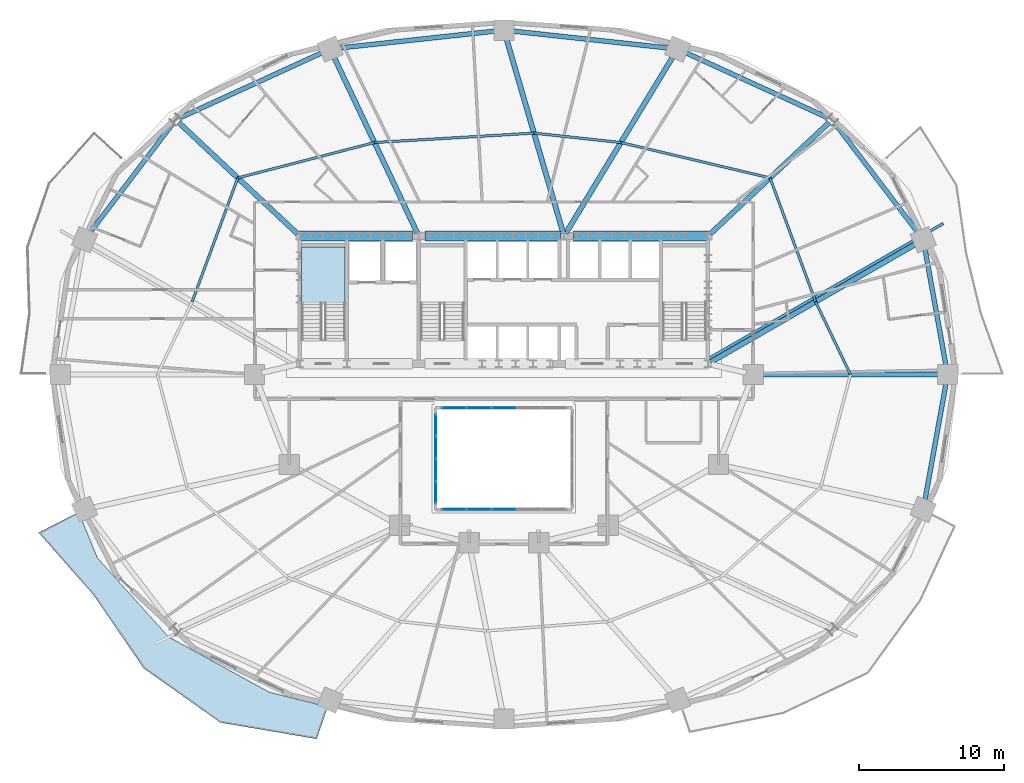
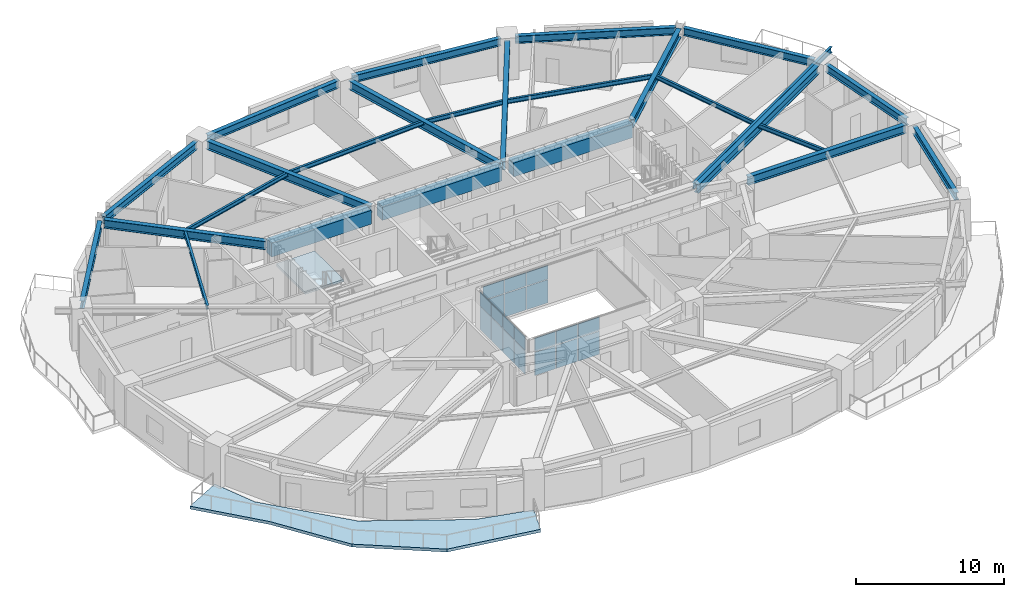
# One storey, part 7 of 17: 26 beams, 20 plates, 2 slabs, 4 elements without a shape of their own.
"""IFC4 building model written with IfcOpenShell, lengths in metres."""

from ifc_helpers import new_model, si_unit, direction, frame, origin, origin_2d, place, context, subcontext, project, spatial, polyline, rectangle, i_section, outline, extrude, material, layer, layer_set, material_profile, profile_set, type_object, element, aggregate, save


model = new_model("IFC4")

# Units and contexts
model_context = context("Model", 3, precision=1e-05, world=origin(), true_north=direction((0.0, 1.0)))
body_context = subcontext(model_context, "Body", "Model", "MODEL_VIEW")
ifc_project = project(units=[si_unit("LENGTHUNIT", "METRE"), si_unit("AREAUNIT", "SQUARE_METRE"), si_unit("VOLUMEUNIT", "CUBIC_METRE"), si_unit("PLANEANGLEUNIT", "RADIAN"), si_unit("MASSUNIT", "GRAM", prefix="KILO")], contexts=[model_context])

# Site, building, storey
site_placement = place(None, origin())
site = spatial("IfcSite", under=ifc_project, at=site_placement, CompositionType="ELEMENT")
building_placement = place(site_placement, origin())
building = spatial("IfcBuilding", under=site, at=building_placement, Name="Haldorwick Loom Tower", CompositionType="ELEMENT")
storey_placement = place(building_placement, frame((0.0, 0.0, 30.89990234375)))
storey = spatial("IfcBuildingStorey", under=building, at=storey_placement, Name="L07", CompositionType="ELEMENT", Elevation=30.89990234375)

# Beams
ifc_material_1 = material(Name="Steel CSA G40.21 350W", Category="steel")
ifc_material_profile_1 = material_profile(ifc_material_1, i_section(OverallWidth=0.193115234375, OverallDepth=0.466064453125, WebThickness=0.011474609375, FlangeThickness=0.01904296875, at=origin_2d()), Name="W460X97", Category="steel")
ifc_profile_set_1 = profile_set([ifc_material_profile_1], Name="Steel CSA G40.21 350W")
beam_type_1 = type_object("IfcBeamType", Name="STR-BM-BAL460", PredefinedType="BEAM", material=ifc_profile_set_1)
beam_1_placement = place(storey_placement, frame((50.125244140625, 27.10498046875, 2.97705078125), z_axis=(0.866607024941, 0.49899124674, 0.0), x_axis=(-0.49899124674, 0.866607024941, 0.0)))
element("IfcBeam", 1, at=beam_1_placement, inside=storey, type_object=beam_type_1, Name="L07 Continuous Back-Spanned Balcony Beam 4", PredefinedType="BEAM", context=body_context, shape_type="SweptSolid", body=[
    extrude(i_section(OverallWidth=0.193115234375, OverallDepth=0.466064453125, WebThickness=0.011474609375, FlangeThickness=0.01904296875, at=origin_2d()), origin(), (0.0, 0.0, 1.0), 18.65771484375),
])
ifc_material_2 = material(Name="Concrete C60 (60 MPa)", Category="concrete")
ifc_material_profile_2 = material_profile(ifc_material_2, rectangle(XDim=0.699951171875, YDim=1.14990234375, at=origin_2d()), Name="RC700X1150", Category="concrete")
ifc_profile_set_2 = profile_set([ifc_material_profile_2], Name="Concrete C60 (60 MPa)")
beam_type_2 = type_object("IfcBeamType", Name="STR-BM-CB1150", PredefinedType="LINTEL", material=ifc_profile_set_2)
beam_2_placement = place(storey_placement, frame((21.89990234375, 35.550048828125, 2.635009765625), z_axis=(1.0, 0.0, 0.0), x_axis=(0.0, 1.0, 0.0)))
element("IfcBeam", 2, at=beam_2_placement, inside=storey, type_object=beam_type_2, Name="L07 Core Coupling Beam CB-N1", PredefinedType="LINTEL", context=body_context, shape_type="SweptSolid", body=[
    extrude(rectangle(XDim=0.699951171875, YDim=1.14990234375, at=origin_2d()), origin(), (0.0, 0.0, 1.0), 7.800048828125),
])
beam_3_placement = place(storey_placement, frame((30.550048828125, 35.550048828125, 2.635009765625), z_axis=(1.0, 0.0, 0.0), x_axis=(0.0, 1.0, 0.0)))
element("IfcBeam", 3, at=beam_3_placement, inside=storey, type_object=beam_type_2, Name="L07 Core Coupling Beam CB-N2", PredefinedType="LINTEL", context=body_context, shape_type="SweptSolid", body=[
    extrude(rectangle(XDim=0.699951171875, YDim=1.14990234375, at=origin_2d()), origin(), (0.0, 0.0, 1.0), 9.349853515625),
])
beam_4_placement = place(storey_placement, frame((40.800048828125, 35.550048828125, 2.635009765625), z_axis=(1.0, 0.0, 0.0), x_axis=(0.0, 1.0, 0.0)))
element("IfcBeam", 4, at=beam_4_placement, inside=storey, type_object=beam_type_2, Name="L07 Core Coupling Beam CB-N3", PredefinedType="LINTEL", context=body_context, shape_type="SweptSolid", body=[
    extrude(rectangle(XDim=0.699951171875, YDim=1.14990234375, at=origin_2d()), origin(), (0.0, 0.0, 1.0), 9.300048828125),
])
ifc_material_profile_3 = material_profile(ifc_material_1, i_section(OverallWidth=0.172119140625, OverallDepth=0.35791015625, WebThickness=0.0078125, FlangeThickness=0.01318359375, at=origin_2d()), Name="W360X57", Category="steel")
ifc_profile_set_3 = profile_set([ifc_material_profile_3], Name="Steel CSA G40.21 350W")
beam_type_3 = type_object("IfcBeamType", Name="STR-BM-J360", PredefinedType="JOIST", material=ifc_profile_set_3)
beam_5_placement = place(storey_placement, frame((59.89794921875, 26.0, 3.031005859375), z_axis=(-0.431630738849, 0.902050389546, 0.0), x_axis=(-0.902050389546, -0.431630738849, 0.0)))
element("IfcBeam", 5, at=beam_5_placement, inside=storey, type_object=beam_type_3, Name="L07 Mid-Bay Secondary Joist 1", PredefinedType="JOIST", context=body_context, shape_type="SweptSolid", body=[
    extrude(i_section(OverallWidth=0.172119140625, OverallDepth=0.35791015625, WebThickness=0.0078125, FlangeThickness=0.01318359375, at=origin_2d()), origin(), (0.0, 0.0, 1.0), 5.5703125),
])
beam_6_placement = place(storey_placement, frame((57.49365234375, 31.024658203125, 3.031005859375), z_axis=(-0.345576005762, 0.938390763084, 0.0), x_axis=(-0.938390763084, -0.345576005762, 0.0)))
element("IfcBeam", 6, at=beam_6_placement, inside=storey, type_object=beam_type_3, Name="L07 Mid-Bay Secondary Joist 2", PredefinedType="JOIST", context=body_context, shape_type="SweptSolid", body=[
    extrude(i_section(OverallWidth=0.172119140625, OverallDepth=0.35791015625, WebThickness=0.0078125, FlangeThickness=0.01318359375, at=origin_2d()), origin(), (0.0, 0.0, 1.0), 9.0966796875),
])
beam_7_placement = place(storey_placement, frame((54.35009765625, 39.560791015625, 3.031005859375), z_axis=(-0.973016191143, 0.230736845289, 0.0), x_axis=(-0.230736845289, -0.973016191143, 0.0)))
element("IfcBeam", 7, at=beam_7_placement, inside=storey, type_object=beam_type_3, Name="L07 Mid-Bay Secondary Joist 3", PredefinedType="JOIST", context=body_context, shape_type="SweptSolid", body=[
    extrude(i_section(OverallWidth=0.172119140625, OverallDepth=0.35791015625, WebThickness=0.0078125, FlangeThickness=0.01318359375, at=origin_2d()), origin(), (0.0, 0.0, 1.0), 10.5712890625),
])
beam_8_placement = place(storey_placement, frame((44.06396484375, 42.0, 3.031005859375), z_axis=(-0.994163660215, 0.107882420753, 0.0), x_axis=(-0.107882420753, -0.994163660215, 0.0)))
element("IfcBeam", 8, at=beam_8_placement, inside=storey, type_object=beam_type_3, Name="L07 Mid-Bay Secondary Joist 4", PredefinedType="JOIST", context=body_context, shape_type="SweptSolid", body=[
    extrude(i_section(OverallWidth=0.172119140625, OverallDepth=0.35791015625, WebThickness=0.0078125, FlangeThickness=0.01318359375, at=origin_2d()), origin(), (0.0, 0.0, 1.0), 6.024169921875),
])
beam_9_placement = place(storey_placement, frame((38.074951171875, 42.64990234375, 3.031005859375), z_axis=(-0.998258904552, -0.058984400336, 0.0), x_axis=(0.058984400336, -0.998258904552, 0.0)))
element("IfcBeam", 9, at=beam_9_placement, inside=storey, type_object=beam_type_3, Name="L07 Mid-Bay Secondary Joist 5", PredefinedType="JOIST", context=body_context, shape_type="SweptSolid", body=[
    extrude(i_section(OverallWidth=0.172119140625, OverallDepth=0.35791015625, WebThickness=0.0078125, FlangeThickness=0.01318359375, at=origin_2d()), origin(), (0.0, 0.0, 1.0), 11.018310546875),
])
beam_10_placement = place(storey_placement, frame((27.075927734375, 42.0, 3.031005859375), z_axis=(-0.968110955806, -0.250521809927, 0.0), x_axis=(0.250521809927, -0.968110955806, 0.0)))
element("IfcBeam", 10, at=beam_10_placement, inside=storey, type_object=beam_type_3, Name="L07 Mid-Bay Secondary Joist 6", PredefinedType="JOIST", context=body_context, shape_type="SweptSolid", body=[
    extrude(i_section(OverallWidth=0.172119140625, OverallDepth=0.35791015625, WebThickness=0.0078125, FlangeThickness=0.01318359375, at=origin_2d()), origin(), (0.0, 0.0, 1.0), 9.736572265625),
])
beam_11_placement = place(storey_placement, frame((17.64990234375, 39.560791015625, 3.031005859375), z_axis=(-0.345576005762, -0.938390763084, 0.0), x_axis=(0.938390763084, -0.345576005762, 0.0)))
element("IfcBeam", 11, at=beam_11_placement, inside=storey, type_object=beam_type_3, Name="L07 Mid-Bay Secondary Joist 7", PredefinedType="JOIST", context=body_context, shape_type="SweptSolid", body=[
    extrude(i_section(OverallWidth=0.172119140625, OverallDepth=0.35791015625, WebThickness=0.0078125, FlangeThickness=0.01318359375, at=origin_2d()), origin(), (0.0, 0.0, 1.0), 9.0966796875),
])
ifc_material_profile_4 = material_profile(ifc_material_1, i_section(OverallWidth=0.324951171875, OverallDepth=0.615966796875, WebThickness=0.013916015625, FlangeThickness=0.021484375, at=origin_2d()), Name="W610X174", Category="steel")
ifc_profile_set_4 = profile_set([ifc_material_profile_4], Name="Steel CSA G40.21 350W")
beam_type_4 = type_object("IfcBeamType", Name="STR-BM-SP610", PredefinedType="SPANDREL", material=ifc_profile_set_4)
beam_12_placement = place(storey_placement, frame((66.503662109375, 26.51171875, 2.902099609375), z_axis=(-0.177641139482, 0.984095333575, 0.0), x_axis=(-0.984095333575, -0.177641139482, 0.0)))
element("IfcBeam", 12, at=beam_12_placement, inside=storey, type_object=beam_type_4, Name="L07 Perimeter Spandrel 1", PredefinedType="SPANDREL", context=body_context, shape_type="SweptSolid", body=[
    extrude(i_section(OverallWidth=0.324951171875, OverallDepth=0.615966796875, WebThickness=0.013916015625, FlangeThickness=0.021484375, at=origin_2d()), origin(), (0.0, 0.0, 1.0), 8.40966796875),
])
beam_13_placement = place(storey_placement, frame((64.602783203125, 35.713134765625, 2.902099609375), z_axis=(-0.605084557744, 0.796161213562, 0.0), x_axis=(-0.796161213562, -0.605084557744, 0.0)))
element("IfcBeam", 13, at=beam_13_placement, inside=storey, type_object=beam_type_4, Name="L07 Perimeter Spandrel 2", PredefinedType="SPANDREL", context=body_context, shape_type="SweptSolid", body=[
    extrude(i_section(OverallWidth=0.324951171875, OverallDepth=0.615966796875, WebThickness=0.013916015625, FlangeThickness=0.021484375, at=origin_2d()), origin(), (0.0, 0.0, 1.0), 9.595703125),
])
beam_14_placement = place(storey_placement, frame((58.380126953125, 43.68603515625, 2.902099609375), z_axis=(-0.909173805321, 0.416416848504, 0.0), x_axis=(-0.416416848504, -0.909173805321, 0.0)))
element("IfcBeam", 14, at=beam_14_placement, inside=storey, type_object=beam_type_4, Name="L07 Perimeter Spandrel 3", PredefinedType="SPANDREL", context=body_context, shape_type="SweptSolid", body=[
    extrude(i_section(OverallWidth=0.324951171875, OverallDepth=0.615966796875, WebThickness=0.013916015625, FlangeThickness=0.021484375, at=origin_2d()), origin(), (0.0, 0.0, 1.0), 10.92138671875),
])
for number, where, z_axis, x_axis, name in (
    (15, (47.4609375, 48.50634765625, 2.902099609375), (-0.994164438636, 0.107875247167, 0.0), (-0.107875247167, -0.994164438636, 0.0), "L07 Perimeter Spandrel 4"),
    (16, (35.48291015625, 49.69384765625, 2.902099609375), (-0.994164438636, -0.107875247167, 0.0), (0.107875247167, -0.994164438636, 0.0), "L07 Perimeter Spandrel 5"),
):
    element("IfcBeam", number, at=place(storey_placement, frame(where, z_axis=z_axis, x_axis=x_axis)), inside=storey, type_object=beam_type_4, Name=name, PredefinedType="SPANDREL", context=body_context, shape_type="SweptSolid", body=[
        extrude(i_section(OverallWidth=0.324951171875, OverallDepth=0.615966796875, WebThickness=0.013916015625, FlangeThickness=0.021484375, at=origin_2d()), origin(), (0.0, 0.0, 1.0), 11.008056640625),
    ])
beam_15_placement = place(storey_placement, frame((23.54931640625, 48.23388671875, 2.902099609375), z_axis=(-0.909173805321, -0.416416848504, 0.0), x_axis=(0.416416848504, -0.909173805321, 0.0)))
element("IfcBeam", 17, at=beam_15_placement, inside=storey, type_object=beam_type_4, Name="L07 Perimeter Spandrel 6", PredefinedType="SPANDREL", context=body_context, shape_type="SweptSolid", body=[
    extrude(i_section(OverallWidth=0.324951171875, OverallDepth=0.615966796875, WebThickness=0.013916015625, FlangeThickness=0.021484375, at=origin_2d()), origin(), (0.0, 0.0, 1.0), 10.92138671875),
])
beam_16_placement = place(storey_placement, frame((13.203369140625, 43.352783203125, 2.902099609375), z_axis=(-0.605084557744, -0.796161213562, 0.0), x_axis=(0.796161213562, -0.605084557744, 0.0)))
element("IfcBeam", 18, at=beam_16_placement, inside=storey, type_object=beam_type_4, Name="L07 Perimeter Spandrel 7", PredefinedType="SPANDREL", context=body_context, shape_type="SweptSolid", body=[
    extrude(i_section(OverallWidth=0.324951171875, OverallDepth=0.615966796875, WebThickness=0.013916015625, FlangeThickness=0.021484375, at=origin_2d()), origin(), (0.0, 0.0, 1.0), 9.595703125),
])
beam_17_placement = place(storey_placement, frame((65.009765625, 17.21240234375, 2.902099609375), z_axis=(0.177641139482, 0.984095333575, 0.0), x_axis=(-0.984095333575, 0.177641139482, 0.0)))
element("IfcBeam", 19, at=beam_17_placement, inside=storey, type_object=beam_type_4, Name="L07 Perimeter Spandrel 16", PredefinedType="SPANDREL", context=body_context, shape_type="SweptSolid", body=[
    extrude(i_section(OverallWidth=0.324951171875, OverallDepth=0.615966796875, WebThickness=0.013916015625, FlangeThickness=0.021484375, at=origin_2d()), origin(), (0.0, 0.0, 1.0), 8.40966796875),
])
ifc_material_profile_5 = material_profile(ifc_material_1, i_section(OverallWidth=0.35498046875, OverallDepth=0.695068359375, WebThickness=0.015380859375, FlangeThickness=0.02490234375, at=origin_2d()), Name="W690X217", Category="steel")
ifc_profile_set_5 = profile_set([ifc_material_profile_5], Name="Steel CSA G40.21 350W")
beam_type_5 = type_object("IfcBeamType", Name="STR-BM-W690", PredefinedType="BEAM", material=ifc_profile_set_5)
beam_18_placement = place(storey_placement, frame((53.719970703125, 26.0, 2.862548828125), z_axis=(1.0, 0.0, 0.0), x_axis=(0.0, 1.0, 0.0)))
element("IfcBeam", 20, at=beam_18_placement, inside=storey, type_object=beam_type_5, Name="L07 Radial Floor Girder 1", PredefinedType="BEAM", context=body_context, shape_type="SweptSolid", body=[
    extrude(i_section(OverallWidth=0.35498046875, OverallDepth=0.695068359375, WebThickness=0.015380859375, FlangeThickness=0.02490234375, at=origin_2d()), origin(), (0.0, 0.0, 1.0), 12.35595703125),
])
beam_19_placement = place(storey_placement, frame((50.264892578125, 26.8623046875, 2.862548828125), z_axis=(0.86660566838, 0.498993602696, 0.0), x_axis=(-0.498993602696, 0.86660566838, 0.0)))
element("IfcBeam", 21, at=beam_19_placement, inside=storey, type_object=beam_type_5, Name="L07 Radial Floor Girder 2", PredefinedType="BEAM", context=body_context, shape_type="SweptSolid", body=[
    extrude(i_section(OverallWidth=0.35498046875, OverallDepth=0.695068359375, WebThickness=0.015380859375, FlangeThickness=0.02490234375, at=origin_2d()), origin(), (0.0, 0.0, 1.0), 16.387939453125),
])
beam_20_placement = place(storey_placement, frame((50.234130859375, 35.703857421875, 2.862548828125), z_axis=(0.729689033278, 0.683779141766, 0.0), x_axis=(-0.683779141766, 0.729689033278, 0.0)))
element("IfcBeam", 22, at=beam_20_placement, inside=storey, type_object=beam_type_5, Name="L07 Radial Floor Girder 3", PredefinedType="BEAM", context=body_context, shape_type="SweptSolid", body=[
    extrude(i_section(OverallWidth=0.35498046875, OverallDepth=0.695068359375, WebThickness=0.015380859375, FlangeThickness=0.02490234375, at=origin_2d()), origin(), (0.0, 0.0, 1.0), 11.231201171875),
])
beam_21_placement = place(storey_placement, frame((40.2666015625, 35.742431640625, 2.862548828125), z_axis=(0.518781813409, 0.854906679162, 0.0), x_axis=(-0.854906679162, 0.518781813409, 0.0)))
element("IfcBeam", 23, at=beam_21_placement, inside=storey, type_object=beam_type_5, Name="L07 Radial Floor Girder 4", PredefinedType="BEAM", context=body_context, shape_type="SweptSolid", body=[
    extrude(i_section(OverallWidth=0.35498046875, OverallDepth=0.695068359375, WebThickness=0.015380859375, FlangeThickness=0.02490234375, at=origin_2d()), origin(), (0.0, 0.0, 1.0), 14.344482421875),
])
beam_22_placement = place(storey_placement, frame((40.0869140625, 35.76611328125, 2.862548828125), z_axis=(-0.28051378914, 0.959849995625, 0.0), x_axis=(-0.959849995625, -0.28051378914, 0.0)))
element("IfcBeam", 24, at=beam_22_placement, inside=storey, type_object=beam_type_5, Name="L07 Radial Floor Girder 5", PredefinedType="BEAM", context=body_context, shape_type="SweptSolid", body=[
    extrude(i_section(OverallWidth=0.35498046875, OverallDepth=0.695068359375, WebThickness=0.015380859375, FlangeThickness=0.02490234375, at=origin_2d()), origin(), (0.0, 0.0, 1.0), 14.048828125),
])
beam_23_placement = place(storey_placement, frame((30.03369140625, 35.75341796875, 2.862548828125), z_axis=(-0.427945149389, 0.903804707398, 0.0), x_axis=(-0.903804707398, -0.427945149389, 0.0)))
element("IfcBeam", 25, at=beam_23_placement, inside=storey, type_object=beam_type_5, Name="L07 Radial Floor Girder 6", PredefinedType="BEAM", context=body_context, shape_type="SweptSolid", body=[
    extrude(i_section(OverallWidth=0.35498046875, OverallDepth=0.695068359375, WebThickness=0.015380859375, FlangeThickness=0.02490234375, at=origin_2d()), origin(), (0.0, 0.0, 1.0), 13.528076171875),
])
beam_24_placement = place(storey_placement, frame((21.765869140625, 35.703857421875, 2.862548828125), z_axis=(-0.729689033278, 0.683779141766, 0.0), x_axis=(-0.683779141766, -0.729689033278, 0.0)))
element("IfcBeam", 26, at=beam_24_placement, inside=storey, type_object=beam_type_5, Name="L07 Radial Floor Girder 7", PredefinedType="BEAM", context=body_context, shape_type="SweptSolid", body=[
    extrude(i_section(OverallWidth=0.35498046875, OverallDepth=0.695068359375, WebThickness=0.015380859375, FlangeThickness=0.02490234375, at=origin_2d()), origin(), (0.0, 0.0, 1.0), 11.231201171875),
])

# Curtain wall, plates
ifc_material_3 = material(Name="Thermally Broken Anodized Aluminium Curtain Wall Framing", Category="aluminium")
curtain_wall_type = type_object("IfcCurtainWallType", Name="ARC-CW-03", PredefinedType="NOTDEFINED", material=ifc_material_3)
curtain_wall_1_placement = place(storey_placement, origin())
curtain_wall_1 = element("IfcCurtainWall", 27, at=curtain_wall_1_placement, inside=storey, type_object=curtain_wall_type, Name="L07 Atrium Glazed Screen S", PredefinedType="NOTDEFINED")
ifc_material_4 = material(Name="Triple-Glazed Low-E Argon Insulated Glazing Unit", Category="glass")
ifc_layer_1 = layer(ifc_material_4, 0.04296875, Name="Triple-Glazed Low-E Argon Insulated Glazing Unit", Category="glass")
ifc_layer_set_1 = layer_set([ifc_layer_1], Name="Triple-Glazed Low-E Argon Insulated Glazing Unit")
plate_type = type_object("IfcPlateType", Name="ARC-CWP-03", PredefinedType="CURTAIN_PANEL", material=ifc_layer_set_1)
plate_1_placement = place(storey_placement, frame((36.0, 16.699951171875, 0.066162109375), z_axis=(0.0, 0.0, 1.0), x_axis=(-1.0, 0.0, 0.0)))
plate_1 = element("IfcPlate", 28, at=plate_1_placement, type_object=plate_type, Name="CW-03 panel 3.1", PredefinedType="CURTAIN_PANEL", context=body_context, shape_type="SweptSolid", body=[
    extrude(rectangle(XDim=1.654052734375, YDim=0.04296875, at=origin_2d()), origin(), (0.0, 0.0, 1.0), 1.90087890625),
])
plate_2_placement = place(storey_placement, frame((36.0, 16.699951171875, 2.033203125), z_axis=(0.0, 0.0, 1.0), x_axis=(-1.0, 0.0, 0.0)))
plate_2 = element("IfcPlate", 29, at=plate_2_placement, type_object=plate_type, Name="CW-03 panel 3.2", PredefinedType="CURTAIN_PANEL", context=body_context, shape_type="SweptSolid", body=[
    extrude(rectangle(XDim=1.654052734375, YDim=0.04296875, at=origin_2d()), origin(), (0.0, 0.0, 1.0), 1.111083984375),
])
plate_3_placement = place(storey_placement, frame((34.280029296875, 16.699951171875, 0.066162109375), z_axis=(0.0, 0.0, 1.0), x_axis=(-1.0, 0.0, 0.0)))
plate_3 = element("IfcPlate", 30, at=plate_3_placement, type_object=plate_type, Name="CW-03 panel 4.1", PredefinedType="CURTAIN_PANEL", context=body_context, shape_type="SweptSolid", body=[
    extrude(rectangle(XDim=1.654052734375, YDim=0.04296875, at=origin_2d()), origin(), (0.0, 0.0, 1.0), 1.90087890625),
])
plate_4_placement = place(storey_placement, frame((34.280029296875, 16.699951171875, 2.033203125), z_axis=(0.0, 0.0, 1.0), x_axis=(-1.0, 0.0, 0.0)))
plate_4 = element("IfcPlate", 31, at=plate_4_placement, type_object=plate_type, Name="CW-03 panel 4.2", PredefinedType="CURTAIN_PANEL", context=body_context, shape_type="SweptSolid", body=[
    extrude(rectangle(XDim=1.654052734375, YDim=0.04296875, at=origin_2d()), origin(), (0.0, 0.0, 1.0), 1.111083984375),
])
plate_5_placement = place(storey_placement, frame((32.576416015625, 16.699951171875, 0.066162109375), z_axis=(0.0, 0.0, 1.0), x_axis=(-1.0, 0.0, 0.0)))
plate_5 = element("IfcPlate", 32, at=plate_5_placement, type_object=plate_type, Name="CW-03 panel 5.1", PredefinedType="CURTAIN_PANEL", context=body_context, shape_type="SweptSolid", body=[
    extrude(rectangle(XDim=1.62109375, YDim=0.04296875, at=origin_2d()), origin(), (0.0, 0.0, 1.0), 1.90087890625),
])
plate_6_placement = place(storey_placement, frame((32.576416015625, 16.699951171875, 2.033203125), z_axis=(0.0, 0.0, 1.0), x_axis=(-1.0, 0.0, 0.0)))
plate_6 = element("IfcPlate", 33, at=plate_6_placement, type_object=plate_type, Name="CW-03 panel 5.2", PredefinedType="CURTAIN_PANEL", context=body_context, shape_type="SweptSolid", body=[
    extrude(rectangle(XDim=1.62109375, YDim=0.04296875, at=origin_2d()), origin(), (0.0, 0.0, 1.0), 1.111083984375),
])
aggregate(curtain_wall_1, [plate_1, plate_2, plate_3, plate_4, plate_5, plate_6])

curtain_wall_2_placement = place(storey_placement, origin())
curtain_wall_2 = element("IfcCurtainWall", 34, at=curtain_wall_2_placement, inside=storey, type_object=curtain_wall_type, Name="L07 Atrium Glazed Screen N", PredefinedType="NOTDEFINED")
plate_7_placement = place(storey_placement, frame((32.576416015625, 23.699951171875, 0.066162109375), z_axis=(0.0, 0.0, 1.0), x_axis=(1.0, 0.0, 0.0)))
plate_7 = element("IfcPlate", 35, at=plate_7_placement, type_object=plate_type, Name="CW-03 panel 1.1", PredefinedType="CURTAIN_PANEL", context=body_context, shape_type="SweptSolid", body=[
    extrude(rectangle(XDim=1.62109375, YDim=0.04296875, at=origin_2d()), origin(), (0.0, 0.0, 1.0), 1.90087890625),
])
plate_8_placement = place(storey_placement, frame((32.576416015625, 23.699951171875, 2.033203125), z_axis=(0.0, 0.0, 1.0), x_axis=(1.0, 0.0, 0.0)))
plate_8 = element("IfcPlate", 36, at=plate_8_placement, type_object=plate_type, Name="CW-03 panel 1.2", PredefinedType="CURTAIN_PANEL", context=body_context, shape_type="SweptSolid", body=[
    extrude(rectangle(XDim=1.62109375, YDim=0.04296875, at=origin_2d()), origin(), (0.0, 0.0, 1.0), 1.111083984375),
])
plate_9_placement = place(storey_placement, frame((34.280029296875, 23.699951171875, 0.066162109375), z_axis=(0.0, 0.0, 1.0), x_axis=(1.0, 0.0, 0.0)))
plate_9 = element("IfcPlate", 37, at=plate_9_placement, type_object=plate_type, Name="CW-03 panel 2.1", PredefinedType="CURTAIN_PANEL", context=body_context, shape_type="SweptSolid", body=[
    extrude(rectangle(XDim=1.654052734375, YDim=0.04296875, at=origin_2d()), origin(), (0.0, 0.0, 1.0), 1.90087890625),
])
plate_10_placement = place(storey_placement, frame((34.280029296875, 23.699951171875, 2.033203125), z_axis=(0.0, 0.0, 1.0), x_axis=(1.0, 0.0, 0.0)))
plate_10 = element("IfcPlate", 38, at=plate_10_placement, type_object=plate_type, Name="CW-03 panel 2.2", PredefinedType="CURTAIN_PANEL", context=body_context, shape_type="SweptSolid", body=[
    extrude(rectangle(XDim=1.654052734375, YDim=0.04296875, at=origin_2d()), origin(), (0.0, 0.0, 1.0), 1.111083984375),
])
plate_11_placement = place(storey_placement, frame((36.0, 23.699951171875, 0.066162109375), z_axis=(0.0, 0.0, 1.0), x_axis=(1.0, 0.0, 0.0)))
plate_11 = element("IfcPlate", 39, at=plate_11_placement, type_object=plate_type, Name="CW-03 panel 3.1", PredefinedType="CURTAIN_PANEL", context=body_context, shape_type="SweptSolid", body=[
    extrude(rectangle(XDim=1.654052734375, YDim=0.04296875, at=origin_2d()), origin(), (0.0, 0.0, 1.0), 1.90087890625),
])
plate_12_placement = place(storey_placement, frame((36.0, 23.699951171875, 2.033203125), z_axis=(0.0, 0.0, 1.0), x_axis=(1.0, 0.0, 0.0)))
plate_12 = element("IfcPlate", 40, at=plate_12_placement, type_object=plate_type, Name="CW-03 panel 3.2", PredefinedType="CURTAIN_PANEL", context=body_context, shape_type="SweptSolid", body=[
    extrude(rectangle(XDim=1.654052734375, YDim=0.04296875, at=origin_2d()), origin(), (0.0, 0.0, 1.0), 1.111083984375),
])
aggregate(curtain_wall_2, [plate_7, plate_8, plate_9, plate_10, plate_11, plate_12])

curtain_wall_3_placement = place(storey_placement, origin())
curtain_wall_3 = element("IfcCurtainWall", 41, at=curtain_wall_3_placement, inside=storey, type_object=curtain_wall_type, Name="L07 Atrium Glazed Screen W", PredefinedType="NOTDEFINED")
plate_13_placement = place(storey_placement, frame((31.300048828125, 17.8916015625, 0.066162109375), z_axis=(0.0, 0.0, 1.0), x_axis=(0.0, 1.0, 0.0)))
plate_13 = element("IfcPlate", 42, at=plate_13_placement, type_object=plate_type, Name="CW-03 panel 1.1", PredefinedType="CURTAIN_PANEL", context=body_context, shape_type="SweptSolid", body=[
    extrude(rectangle(XDim=1.450927734375, YDim=0.04296875, at=origin_2d()), origin(), (0.0, 0.0, 1.0), 1.90087890625),
])
plate_14_placement = place(storey_placement, frame((31.300048828125, 17.8916015625, 2.033203125), z_axis=(0.0, 0.0, 1.0), x_axis=(0.0, 1.0, 0.0)))
plate_14 = element("IfcPlate", 43, at=plate_14_placement, type_object=plate_type, Name="CW-03 panel 1.2", PredefinedType="CURTAIN_PANEL", context=body_context, shape_type="SweptSolid", body=[
    extrude(rectangle(XDim=1.450927734375, YDim=0.04296875, at=origin_2d()), origin(), (0.0, 0.0, 1.0), 1.111083984375),
])
plate_15_placement = place(storey_placement, frame((31.300048828125, 19.425048828125, 0.066162109375), z_axis=(0.0, 0.0, 1.0), x_axis=(0.0, 1.0, 0.0)))
plate_15 = element("IfcPlate", 44, at=plate_15_placement, type_object=plate_type, Name="CW-03 panel 2.1", PredefinedType="CURTAIN_PANEL", context=body_context, shape_type="SweptSolid", body=[
    extrude(rectangle(XDim=1.48388671875, YDim=0.04296875, at=origin_2d()), origin(), (0.0, 0.0, 1.0), 1.90087890625),
])
plate_16_placement = place(storey_placement, frame((31.300048828125, 19.425048828125, 2.033203125), z_axis=(0.0, 0.0, 1.0), x_axis=(0.0, 1.0, 0.0)))
plate_16 = element("IfcPlate", 45, at=plate_16_placement, type_object=plate_type, Name="CW-03 panel 2.2", PredefinedType="CURTAIN_PANEL", context=body_context, shape_type="SweptSolid", body=[
    extrude(rectangle(XDim=1.48388671875, YDim=0.04296875, at=origin_2d()), origin(), (0.0, 0.0, 1.0), 1.111083984375),
])
plate_17_placement = place(storey_placement, frame((31.300048828125, 20.97509765625, 0.066162109375), z_axis=(0.0, 0.0, 1.0), x_axis=(0.0, 1.0, 0.0)))
plate_17 = element("IfcPlate", 46, at=plate_17_placement, type_object=plate_type, Name="CW-03 panel 3.1", PredefinedType="CURTAIN_PANEL", context=body_context, shape_type="SweptSolid", body=[
    extrude(rectangle(XDim=1.48388671875, YDim=0.04296875, at=origin_2d()), origin(), (0.0, 0.0, 1.0), 1.90087890625),
])
plate_18_placement = place(storey_placement, frame((31.300048828125, 20.97509765625, 2.033203125), z_axis=(0.0, 0.0, 1.0), x_axis=(0.0, 1.0, 0.0)))
plate_18 = element("IfcPlate", 47, at=plate_18_placement, type_object=plate_type, Name="CW-03 panel 3.2", PredefinedType="CURTAIN_PANEL", context=body_context, shape_type="SweptSolid", body=[
    extrude(rectangle(XDim=1.48388671875, YDim=0.04296875, at=origin_2d()), origin(), (0.0, 0.0, 1.0), 1.111083984375),
])
plate_19_placement = place(storey_placement, frame((31.300048828125, 22.508544921875, 0.066162109375), z_axis=(0.0, 0.0, 1.0), x_axis=(0.0, 1.0, 0.0)))
plate_19 = element("IfcPlate", 48, at=plate_19_placement, type_object=plate_type, Name="CW-03 panel 4.1", PredefinedType="CURTAIN_PANEL", context=body_context, shape_type="SweptSolid", body=[
    extrude(rectangle(XDim=1.450927734375, YDim=0.04296875, at=origin_2d()), origin(), (0.0, 0.0, 1.0), 1.90087890625),
])
plate_20_placement = place(storey_placement, frame((31.300048828125, 22.508544921875, 2.033203125), z_axis=(0.0, 0.0, 1.0), x_axis=(0.0, 1.0, 0.0)))
plate_20 = element("IfcPlate", 49, at=plate_20_placement, type_object=plate_type, Name="CW-03 panel 4.2", PredefinedType="CURTAIN_PANEL", context=body_context, shape_type="SweptSolid", body=[
    extrude(rectangle(XDim=1.450927734375, YDim=0.04296875, at=origin_2d()), origin(), (0.0, 0.0, 1.0), 1.111083984375),
])
aggregate(curtain_wall_3, [plate_13, plate_14, plate_15, plate_16, plate_17, plate_18, plate_19, plate_20])

# Slab
ifc_material_5 = material(Name="Concrete C40 (40 MPa)", Category="concrete")
ifc_layer_2 = layer(ifc_material_5, 0.239990234375, Name="Concrete C40 (40 MPa)", Category="concrete")
ifc_layer_set_2 = layer_set([ifc_layer_2], Name="Concrete C40 (40 MPa)")
slab_type_1 = type_object("IfcSlabType", Name="STR-SLB-BAL240", PredefinedType="FLOOR", material=ifc_layer_set_2)
slab_1_placement = place(storey_placement, frame((0.0, 0.0, -0.239990234375)))
element("IfcSlab", 50, at=slab_1_placement, inside=storey, type_object=slab_type_1, Name="L07 Sinusoidal Balcony Terrace BAL_SW", PredefinedType="FLOOR", context=body_context, shape_type="SweptSolid", body=[
    extrude(outline(polyline([(23.847412109375, 3.09130859375), (19.8203125, 4.0966796875), (19.819091796875, 4.096923828125), (19.81787109375, 4.097412109375), (19.81689453125, 4.09814453125), (12.86767578125, 7.92041015625), (12.8662109375, 7.921142578125), (12.86474609375, 7.922119140625), (12.86376953125, 7.92333984375), (7.97119140625, 13.3525390625), (7.97021484375, 13.353515625), (7.969482421875, 13.3544921875), (7.968994140625, 13.355712890625), (7.968505859375, 13.356689453125), (6.675537109375, 16.517333984375), (3.916259765625, 15.09716796875), (7.701904296875, 10.80224609375), (11.1640625, 5.743896484375), (16.441162109375, 2.0087890625), (23.09716796875, 0.873046875), (23.847412109375, 3.09130859375)])), origin(), (0.0, 0.0, 1.0), 0.239990234375),
])

# Stair, slab
stair_type = type_object("IfcStairType", Name="STR-STR-CORE", PredefinedType="HALF_TURN_STAIR", material=ifc_material_5)
stair_placement = place(storey_placement, origin())
stair = element("IfcStair", 51, at=stair_placement, inside=storey, type_object=stair_type, Name="L07 Exit Stair ST-01", PredefinedType="HALF_TURN_STAIR")
ifc_layer_3 = layer(ifc_material_5, 0.199951171875, Name="Concrete C40 (40 MPa)", Category="concrete")
ifc_layer_set_3 = layer_set([ifc_layer_3], Name="Concrete C40 (40 MPa)")
slab_type_2 = type_object("IfcSlabType", Name="STR-SLB-LAND200", PredefinedType="LANDING", material=ifc_layer_set_3)
slab_2_placement = place(storey_placement, frame((0.0, 0.0, 1.525146484375)))
slab_2 = element("IfcSlab", 52, at=slab_2_placement, type_object=slab_type_2, Name="ST-01 landing 1", PredefinedType="LANDING", context=body_context, shape_type="SweptSolid", body=[
    extrude(outline(polyline([(25.050048828125, 30.919921875), (25.050048828125, 34.800048828125), (22.050048828125, 34.800048828125), (22.050048828125, 30.919921875), (25.050048828125, 30.919921875)])), origin(), (0.0, 0.0, 1.0), 0.199951171875),
])
aggregate(stair, [slab_2])

save(model, "model.ifc")
